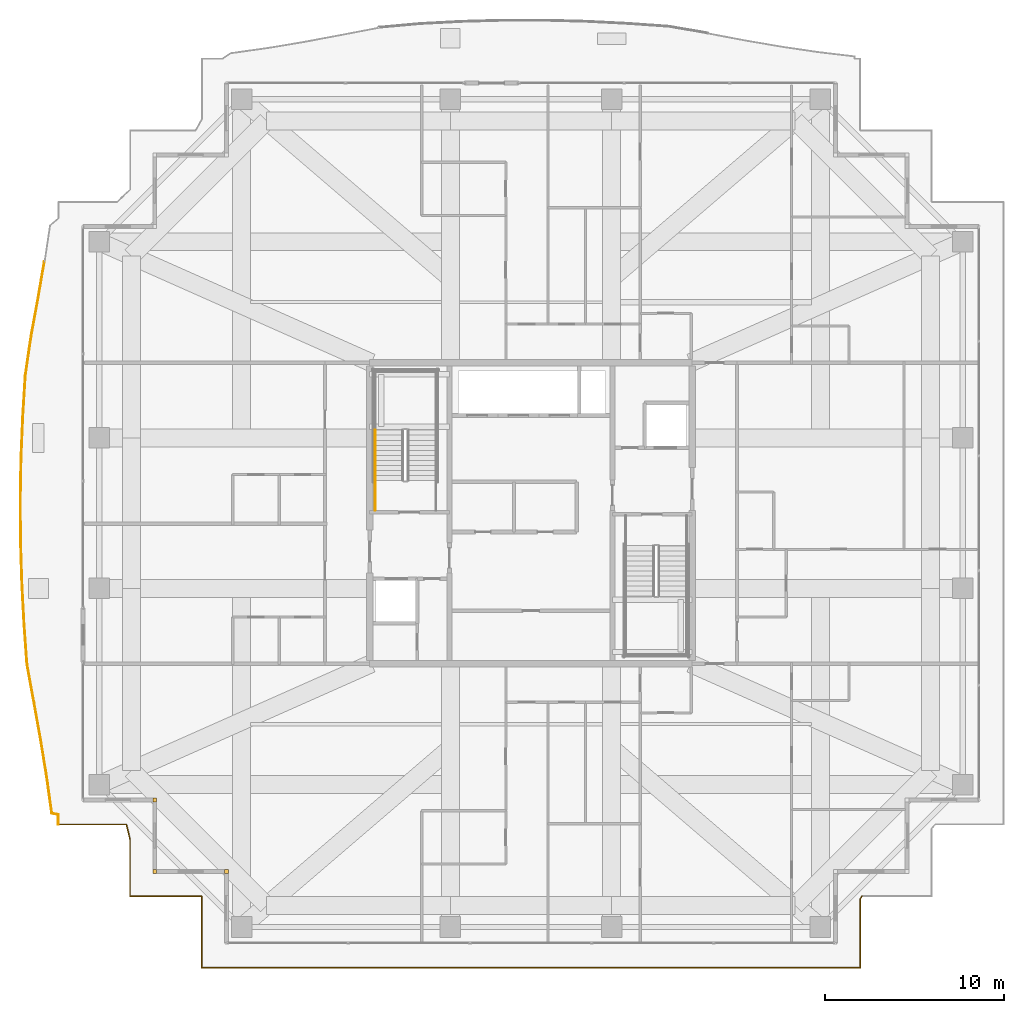
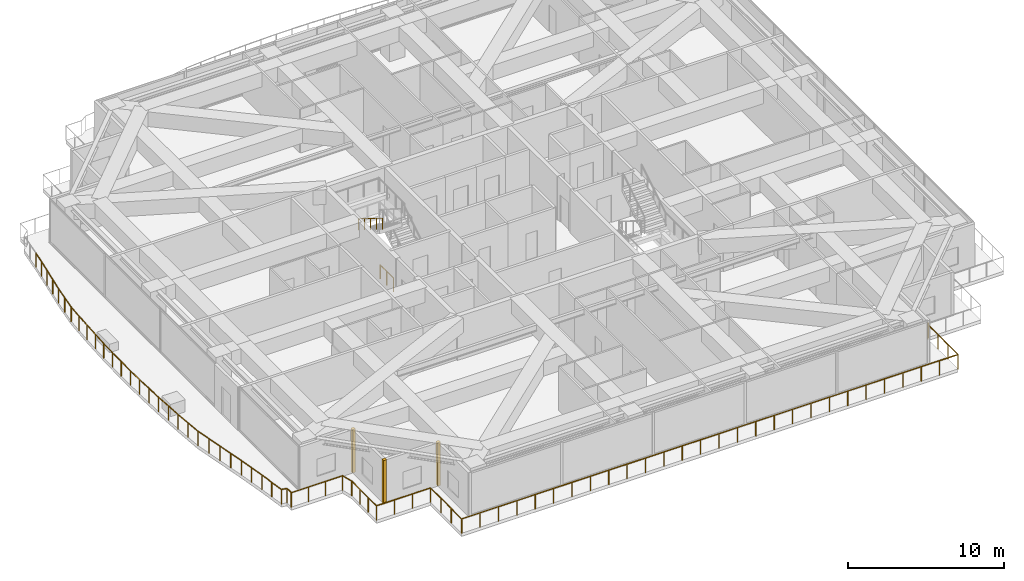
# One storey, part 35 of 39: 5 railings, 3 coverings.
"""IFC4 building model written with IfcOpenShell, lengths in metres."""

from ifc_helpers import new_model, si_unit, direction, frame, origin, origin_2d, place, context, subcontext, project, spatial, rectangle, circle, extrude, source, transform, mapped, material, layer, layer_set, type_object, element, save


model = new_model("IFC4")

# Units and contexts
model_context = context("Model", 3, precision=1e-05, world=origin(), true_north=direction((0.0, 1.0)))
body_context = subcontext(model_context, "Body", "Model", "MODEL_VIEW")
ifc_project = project(units=[si_unit("LENGTHUNIT", "METRE"), si_unit("AREAUNIT", "SQUARE_METRE"), si_unit("VOLUMEUNIT", "CUBIC_METRE"), si_unit("PLANEANGLEUNIT", "RADIAN"), si_unit("MASSUNIT", "GRAM", prefix="KILO")], contexts=[model_context])

# Site, building, storey
site_placement = place(None, origin())
site = spatial("IfcSite", under=ifc_project, at=site_placement, CompositionType="ELEMENT")
building_placement = place(site_placement, origin())
building = spatial("IfcBuilding", under=site, at=building_placement, Name="Serunith Strait Residences", CompositionType="ELEMENT")
storey_placement = place(building_placement, frame((0.0, 0.0, 283.60009765625)))
storey = spatial("IfcBuildingStorey", under=building, at=storey_placement, Name="L71", CompositionType="ELEMENT", Elevation=283.60009765625)

# Railings
ifc_material_1 = material(Name="Stainless Steel & Laminated Glass Balustrade", Category="steel")
railing_type_1 = type_object("IfcRailingType", Name="RLG-BALC-1150", PredefinedType="BALUSTRADE", material=ifc_material_1)
railing_1_placement = place(storey_placement, frame((6.02001953125, 7.820068359375, -0.050048828125)))
element("IfcRailing", 1, at=railing_1_placement, inside=storey, type_object=railing_type_1, Name="L71 Swirling Balcony Perimeter Balustrade 1", PredefinedType="BALUSTRADE", context=body_context, shape_type="SweptSolid", body=[
    extrude(circle(Radius=0.02392578125, at=origin_2d()), frame((0.0, 0.001953125, 1.1259765625), z_axis=(0.0, 1.0, 0.0), x_axis=(-1.0, 0.0, 0.0)), (0.0, 0.0, 1.0), 0.55517578125),
    extrude(circle(Radius=0.02392578125, at=origin_2d()), frame((-0.001953125, 0.559326171875, 1.1259765625), z_axis=(-0.985979209401, 0.166868207367, 0.0), x_axis=(-0.166868207367, -0.985979209401, 0.0)), (0.0, 0.0, 1.0), 0.36474609375),
    extrude(circle(Radius=0.02392578125, at=origin_2d()), frame((-0.36376953125, 0.62255859375, 1.1259765625), z_axis=(-0.137435301298, 0.990510746008, 0.0), x_axis=(-0.990510746008, -0.137435301298, 0.0)), (0.0, 0.0, 1.0), 2.0458984375),
    extrude(circle(Radius=0.02392578125, at=origin_2d()), frame((-0.6455078125, 2.653076171875, 1.1259765625), z_axis=(-0.160609105594, 0.987018092641, 0.0), x_axis=(-0.987018092641, -0.160609105594, 0.0)), (0.0, 0.0, 1.0), 2.075439453125),
    extrude(circle(Radius=0.02392578125, at=origin_2d()), frame((-0.9794921875, 4.70556640625, 1.1259765625), z_axis=(-0.176761129537, 0.984253779817, 0.0), x_axis=(-0.984253779817, -0.176761129537, 0.0)), (0.0, 0.0, 1.0), 2.120361328125),
    extrude(circle(Radius=0.02392578125, at=origin_2d()), frame((-1.35498046875, 6.79638671875, 1.1259765625), z_axis=(-0.17995814636, 0.983674268017, 0.0), x_axis=(-0.983674268017, -0.17995814636, 0.0)), (0.0, 0.0, 1.0), 2.178955078125),
    extrude(circle(Radius=0.02392578125, at=origin_2d()), frame((-1.747802734375, 8.943603515625, 1.1259765625), z_axis=(-0.072142309591, 0.997394348875, 0.0), x_axis=(-0.997394348875, -0.072142309591, 0.0)), (0.0, 0.0, 1.0), 2.263427734375),
    extrude(circle(Radius=0.02392578125, at=origin_2d()), frame((-1.9111328125, 11.205078125, 1.1259765625), z_axis=(-0.052185076461, 0.9986374306, 0.0), x_axis=(-0.9986374306, -0.052185076461, 0.0)), (0.0, 0.0, 1.0), 2.29296875),
    extrude(circle(Radius=0.02099609375, at=origin_2d()), origin(), (0.0, 0.0, 1.0), 1.099853515625),
    extrude(circle(Radius=0.02099609375, at=origin_2d()), frame((0.0, 0.55908203125, 0.0)), (0.0, 0.0, 1.0), 1.099853515625),
    extrude(circle(Radius=0.02099609375, at=origin_2d()), frame((-0.363525390625, 0.62060546875, 0.0)), (0.0, 0.0, 1.0), 1.099853515625),
    extrude(circle(Radius=0.02099609375, at=origin_2d()), frame((-0.50439453125, 1.6357421875, 0.0)), (0.0, 0.0, 1.0), 1.099853515625),
    extrude(circle(Radius=0.02099609375, at=origin_2d()), frame((-0.645263671875, 2.651123046875, 0.0)), (0.0, 0.0, 1.0), 1.099853515625),
    extrude(circle(Radius=0.02099609375, at=origin_2d()), frame((-0.812255859375, 3.67724609375, 0.0)), (0.0, 0.0, 1.0), 1.099853515625),
    extrude(circle(Radius=0.02099609375, at=origin_2d()), frame((-0.979248046875, 4.70361328125, 0.0)), (0.0, 0.0, 1.0), 1.099853515625),
    extrude(circle(Radius=0.02099609375, at=origin_2d()), frame((-1.1669921875, 5.7490234375, 0.0)), (0.0, 0.0, 1.0), 1.099853515625),
    extrude(circle(Radius=0.02099609375, at=origin_2d()), frame((-1.354736328125, 6.79443359375, 0.0)), (0.0, 0.0, 1.0), 1.099853515625),
    extrude(circle(Radius=0.02099609375, at=origin_2d()), frame((-1.55126953125, 7.8681640625, 0.0)), (0.0, 0.0, 1.0), 1.099853515625),
    extrude(circle(Radius=0.02099609375, at=origin_2d()), frame((-1.74755859375, 8.941650390625, 0.0)), (0.0, 0.0, 1.0), 1.099853515625),
    extrude(circle(Radius=0.02099609375, at=origin_2d()), frame((-1.829345703125, 10.072265625, 0.0)), (0.0, 0.0, 1.0), 1.099853515625),
    extrude(circle(Radius=0.02099609375, at=origin_2d()), frame((-1.9111328125, 11.203125, 0.0)), (0.0, 0.0, 1.0), 1.099853515625),
    extrude(circle(Radius=0.02099609375, at=origin_2d()), frame((-1.97119140625, 12.35009765625, 0.0)), (0.0, 0.0, 1.0), 1.099853515625),
    extrude(circle(Radius=0.02099609375, at=origin_2d()), frame((-2.031005859375, 13.4970703125, 0.0)), (0.0, 0.0, 1.0), 1.099853515625),
])
railing_2_placement = place(storey_placement, frame((3.989013671875, 21.317138671875, -0.050048828125)))
element("IfcRailing", 2, at=railing_2_placement, inside=storey, type_object=railing_type_1, Name="L71 Swirling Balcony Perimeter Balustrade 2", PredefinedType="BALUSTRADE", context=body_context, shape_type="SweptSolid", body=[
    extrude(circle(Radius=0.02392578125, at=origin_2d()), frame((0.0, 0.001953125, 1.1259765625), z_axis=(-0.030866398727, 0.999523519198, 0.0), x_axis=(-0.999523519198, -0.030866398727, 0.0)), (0.0, 0.0, 1.0), 2.3134765625),
    extrude(circle(Radius=0.02392578125, at=origin_2d()), frame((-0.071533203125, 2.318359375, 1.1259765625), z_axis=(-0.00682112371, 0.999976735865, 0.0), x_axis=(-0.999976735865, -0.00682112371, 0.0)), (0.0, 0.0, 1.0), 2.322509765625),
    extrude(circle(Radius=0.02392578125, at=origin_2d()), frame((-0.08740234375, 4.644775390625, 1.1259765625), z_axis=(0.017653580604, 0.999844163403, 0.0), x_axis=(-0.999844163403, 0.017653580604, 0.0)), (0.0, 0.0, 1.0), 2.3193359375),
    extrude(circle(Radius=0.02392578125, at=origin_2d()), frame((-0.04638671875, 6.9677734375, 1.1259765625), z_axis=(0.041150925823, 0.999152941898, 0.0), x_axis=(-0.999152941898, 0.041150925823, 0.0)), (0.0, 0.0, 1.0), 2.303955078125),
    extrude(circle(Radius=0.02392578125, at=origin_2d()), frame((0.048828125, 9.273681640625, 1.1259765625), z_axis=(0.061505879825, 0.998106721121, 0.0), x_axis=(-0.998106721121, 0.061505879825, 0.0)), (0.0, 0.0, 1.0), 2.2783203125),
    extrude(circle(Radius=0.02392578125, at=origin_2d()), frame((0.189208984375, 11.5517578125, 1.1259765625), z_axis=(0.143827990532, 0.989602702674, 0.0), x_axis=(-0.989602702674, 0.143827990532, 0.0)), (0.0, 0.0, 1.0), 2.211181640625),
    extrude(circle(Radius=0.02392578125, at=origin_2d()), frame((0.5078125, 13.743896484375, 1.1259765625), z_axis=(0.180577389698, 0.983560779174, 0.0), x_axis=(-0.983560779174, 0.180577389698, 0.0)), (0.0, 0.0, 1.0), 2.1416015625),
    extrude(circle(Radius=0.02392578125, at=origin_2d()), frame((0.895263671875, 15.854248046875, 1.1259765625), z_axis=(0.169161197625, 0.985588397465, 0.0), x_axis=(-0.985588397465, 0.169161197625, 0.0)), (0.0, 0.0, 1.0), 2.090087890625),
    extrude(circle(Radius=0.02099609375, at=origin_2d()), origin(), (0.0, 0.0, 1.0), 1.099853515625),
    extrude(circle(Radius=0.02099609375, at=origin_2d()), frame((-0.03564453125, 1.158203125, 0.0)), (0.0, 0.0, 1.0), 1.099853515625),
    extrude(circle(Radius=0.02099609375, at=origin_2d()), frame((-0.071533203125, 2.31640625, 0.0)), (0.0, 0.0, 1.0), 1.099853515625),
    extrude(circle(Radius=0.02099609375, at=origin_2d()), frame((-0.07958984375, 3.4794921875, 0.0)), (0.0, 0.0, 1.0), 1.099853515625),
    extrude(circle(Radius=0.02099609375, at=origin_2d()), frame((-0.08740234375, 4.642822265625, 0.0)), (0.0, 0.0, 1.0), 1.099853515625),
    extrude(circle(Radius=0.02099609375, at=origin_2d()), frame((-0.06689453125, 5.80419921875, 0.0)), (0.0, 0.0, 1.0), 1.099853515625),
    extrude(circle(Radius=0.02099609375, at=origin_2d()), frame((-0.04638671875, 6.9658203125, 0.0)), (0.0, 0.0, 1.0), 1.099853515625),
    extrude(circle(Radius=0.02099609375, at=origin_2d()), frame((0.0009765625, 8.11865234375, 0.0)), (0.0, 0.0, 1.0), 1.099853515625),
    extrude(circle(Radius=0.02099609375, at=origin_2d()), frame((0.048583984375, 9.271728515625, 0.0)), (0.0, 0.0, 1.0), 1.099853515625),
    extrude(circle(Radius=0.02099609375, at=origin_2d()), frame((0.11865234375, 10.41064453125, 0.0)), (0.0, 0.0, 1.0), 1.099853515625),
    extrude(circle(Radius=0.02099609375, at=origin_2d()), frame((0.18896484375, 11.5498046875, 0.0)), (0.0, 0.0, 1.0), 1.099853515625),
    extrude(circle(Radius=0.02099609375, at=origin_2d()), frame((0.34814453125, 12.64599609375, 0.0)), (0.0, 0.0, 1.0), 1.099853515625),
    extrude(circle(Radius=0.02099609375, at=origin_2d()), frame((0.507568359375, 13.741943359375, 0.0)), (0.0, 0.0, 1.0), 1.099853515625),
    extrude(circle(Radius=0.02099609375, at=origin_2d()), frame((0.701171875, 14.797119140625, 0.0)), (0.0, 0.0, 1.0), 1.099853515625),
    extrude(circle(Radius=0.02099609375, at=origin_2d()), frame((0.89501953125, 15.852294921875, 0.0)), (0.0, 0.0, 1.0), 1.099853515625),
    extrude(circle(Radius=0.02099609375, at=origin_2d()), frame((1.072265625, 16.88427734375, 0.0)), (0.0, 0.0, 1.0), 1.099853515625),
    extrude(circle(Radius=0.02099609375, at=origin_2d()), frame((1.249267578125, 17.916259765625, 0.0)), (0.0, 0.0, 1.0), 1.099853515625),
])
railing_3_placement = place(storey_placement, frame((50.881103515625, 3.820068359375, -0.050048828125)))
element("IfcRailing", 3, at=railing_3_placement, inside=storey, type_object=railing_type_1, Name="L71 Swirling Balcony Perimeter Balustrade 8", PredefinedType="BALUSTRADE", context=body_context, shape_type="SweptSolid", body=[
    extrude(circle(Radius=0.02392578125, at=origin_2d()), frame((-0.0009765625, -0.001708984375, 1.1259765625), z_axis=(-0.546751112301, -0.83729518164, 0.0), x_axis=(0.83729518164, -0.546751112301, 0.0)), (0.0, 0.0, 1.0), 0.180908203125),
    extrude(circle(Radius=0.02392578125, at=origin_2d()), frame((-0.10107421875, -0.15673828125, 1.1259765625), z_axis=(0.0, -1.0, 0.0), x_axis=(1.0, 0.0, 0.0)), (0.0, 0.0, 1.0), 3.84130859375),
    extrude(circle(Radius=0.02392578125, at=origin_2d()), frame((-0.10302734375, -4.0, 1.1259765625), z_axis=(-1.0, 0.0, 0.0), x_axis=(0.0, -1.0, 0.0)), (0.0, 0.0, 1.0), 36.756103515625),
    extrude(circle(Radius=0.02392578125, at=origin_2d()), frame((-36.861083984375, -3.998046875, 1.1259765625), z_axis=(0.0, 1.0, 0.0), x_axis=(-1.0, 0.0, 0.0)), (0.0, 0.0, 1.0), 3.99609375),
    extrude(circle(Radius=0.02392578125, at=origin_2d()), frame((-36.863037109375, 0.0, 1.1259765625), z_axis=(-1.0, 0.0, 0.0), x_axis=(0.0, -1.0, 0.0)), (0.0, 0.0, 1.0), 3.99609375),
    extrude(circle(Radius=0.02392578125, at=origin_2d()), frame((-40.861083984375, 0.001953125, 1.1259765625), z_axis=(0.0, 1.0, 0.0), x_axis=(-1.0, 0.0, 0.0)), (0.0, 0.0, 1.0), 3.163818359375),
    extrude(circle(Radius=0.02392578125, at=origin_2d()), frame((-40.861572265625, 3.169677734375, 1.1259765625), z_axis=(-0.236293392422, 0.971681754845, 0.0), x_axis=(-0.971681754845, -0.236293392422, 0.0)), (0.0, 0.0, 1.0), 0.8525390625),
    extrude(circle(Radius=0.02392578125, at=origin_2d()), frame((-41.0654296875, 4.0, 1.1259765625), z_axis=(-1.0, 0.0, 0.0), x_axis=(0.0, -1.0, 0.0)), (0.0, 0.0, 1.0), 3.793701171875),
    extrude(circle(Radius=0.02099609375, at=origin_2d()), origin(), (0.0, 0.0, 1.0), 1.099853515625),
    extrude(circle(Radius=0.02099609375, at=origin_2d()), frame((-0.10107421875, -0.15478515625, 0.0)), (0.0, 0.0, 1.0), 1.099853515625),
    extrude(circle(Radius=0.02099609375, at=origin_2d()), frame((-0.10107421875, -1.4365234375, 0.0)), (0.0, 0.0, 1.0), 1.099853515625),
    extrude(circle(Radius=0.02099609375, at=origin_2d()), frame((-0.10107421875, -2.71826171875, 0.0)), (0.0, 0.0, 1.0), 1.099853515625),
    extrude(circle(Radius=0.02099609375, at=origin_2d()), frame((-0.10107421875, -4.0, 0.0)), (0.0, 0.0, 1.0), 1.099853515625),
    extrude(circle(Radius=0.02099609375, at=origin_2d()), frame((-1.462646484375, -4.0, 0.0)), (0.0, 0.0, 1.0), 1.099853515625),
    extrude(circle(Radius=0.02099609375, at=origin_2d()), frame((-2.823974609375, -4.0, 0.0)), (0.0, 0.0, 1.0), 1.099853515625),
    extrude(circle(Radius=0.02099609375, at=origin_2d()), frame((-4.185546875, -4.0, 0.0)), (0.0, 0.0, 1.0), 1.099853515625),
    extrude(circle(Radius=0.02099609375, at=origin_2d()), frame((-5.547119140625, -4.0, 0.0)), (0.0, 0.0, 1.0), 1.099853515625),
    extrude(circle(Radius=0.02099609375, at=origin_2d()), frame((-6.908447265625, -4.0, 0.0)), (0.0, 0.0, 1.0), 1.099853515625),
    extrude(circle(Radius=0.02099609375, at=origin_2d()), frame((-8.27001953125, -4.0, 0.0)), (0.0, 0.0, 1.0), 1.099853515625),
    extrude(circle(Radius=0.02099609375, at=origin_2d()), frame((-9.63134765625, -4.0, 0.0)), (0.0, 0.0, 1.0), 1.099853515625),
    extrude(circle(Radius=0.02099609375, at=origin_2d()), frame((-10.992919921875, -4.0, 0.0)), (0.0, 0.0, 1.0), 1.099853515625),
    extrude(circle(Radius=0.02099609375, at=origin_2d()), frame((-12.3544921875, -4.0, 0.0)), (0.0, 0.0, 1.0), 1.099853515625),
    extrude(circle(Radius=0.02099609375, at=origin_2d()), frame((-13.7158203125, -4.0, 0.0)), (0.0, 0.0, 1.0), 1.099853515625),
    extrude(circle(Radius=0.02099609375, at=origin_2d()), frame((-15.077392578125, -4.0, 0.0)), (0.0, 0.0, 1.0), 1.099853515625),
    extrude(circle(Radius=0.02099609375, at=origin_2d()), frame((-16.43896484375, -4.0, 0.0)), (0.0, 0.0, 1.0), 1.099853515625),
    extrude(circle(Radius=0.02099609375, at=origin_2d()), frame((-17.80029296875, -4.0, 0.0)), (0.0, 0.0, 1.0), 1.099853515625),
    extrude(circle(Radius=0.02099609375, at=origin_2d()), frame((-19.161865234375, -4.0, 0.0)), (0.0, 0.0, 1.0), 1.099853515625),
    extrude(circle(Radius=0.02099609375, at=origin_2d()), frame((-20.523193359375, -4.0, 0.0)), (0.0, 0.0, 1.0), 1.099853515625),
    extrude(circle(Radius=0.02099609375, at=origin_2d()), frame((-21.884765625, -4.0, 0.0)), (0.0, 0.0, 1.0), 1.099853515625),
    extrude(circle(Radius=0.02099609375, at=origin_2d()), frame((-23.246337890625, -4.0, 0.0)), (0.0, 0.0, 1.0), 1.099853515625),
    extrude(circle(Radius=0.02099609375, at=origin_2d()), frame((-24.607666015625, -4.0, 0.0)), (0.0, 0.0, 1.0), 1.099853515625),
    extrude(circle(Radius=0.02099609375, at=origin_2d()), frame((-25.96923828125, -4.0, 0.0)), (0.0, 0.0, 1.0), 1.099853515625),
    extrude(circle(Radius=0.02099609375, at=origin_2d()), frame((-27.330810546875, -4.0, 0.0)), (0.0, 0.0, 1.0), 1.099853515625),
    extrude(circle(Radius=0.02099609375, at=origin_2d()), frame((-28.692138671875, -4.0, 0.0)), (0.0, 0.0, 1.0), 1.099853515625),
    extrude(circle(Radius=0.02099609375, at=origin_2d()), frame((-30.0537109375, -4.0, 0.0)), (0.0, 0.0, 1.0), 1.099853515625),
    extrude(circle(Radius=0.02099609375, at=origin_2d()), frame((-31.4150390625, -4.0, 0.0)), (0.0, 0.0, 1.0), 1.099853515625),
    extrude(circle(Radius=0.02099609375, at=origin_2d()), frame((-32.776611328125, -4.0, 0.0)), (0.0, 0.0, 1.0), 1.099853515625),
    extrude(circle(Radius=0.02099609375, at=origin_2d()), frame((-34.13818359375, -4.0, 0.0)), (0.0, 0.0, 1.0), 1.099853515625),
    extrude(circle(Radius=0.02099609375, at=origin_2d()), frame((-35.49951171875, -4.0, 0.0)), (0.0, 0.0, 1.0), 1.099853515625),
    extrude(circle(Radius=0.02099609375, at=origin_2d()), frame((-36.861083984375, -4.0, 0.0)), (0.0, 0.0, 1.0), 1.099853515625),
    extrude(circle(Radius=0.02099609375, at=origin_2d()), frame((-36.861083984375, -2.666748046875, 0.0)), (0.0, 0.0, 1.0), 1.099853515625),
    extrude(circle(Radius=0.02099609375, at=origin_2d()), frame((-36.861083984375, -1.333251953125, 0.0)), (0.0, 0.0, 1.0), 1.099853515625),
    extrude(circle(Radius=0.02099609375, at=origin_2d()), frame((-36.861083984375, 0.0, 0.0)), (0.0, 0.0, 1.0), 1.099853515625),
    extrude(circle(Radius=0.02099609375, at=origin_2d()), frame((-38.1943359375, 0.0, 0.0)), (0.0, 0.0, 1.0), 1.099853515625),
    extrude(circle(Radius=0.02099609375, at=origin_2d()), frame((-39.52783203125, 0.0, 0.0)), (0.0, 0.0, 1.0), 1.099853515625),
    extrude(circle(Radius=0.02099609375, at=origin_2d()), frame((-40.861083984375, 0.0, 0.0)), (0.0, 0.0, 1.0), 1.099853515625),
    extrude(circle(Radius=0.02099609375, at=origin_2d()), frame((-40.861083984375, 1.055908203125, 0.0)), (0.0, 0.0, 1.0), 1.099853515625),
    extrude(circle(Radius=0.02099609375, at=origin_2d()), frame((-40.861083984375, 2.11181640625, 0.0)), (0.0, 0.0, 1.0), 1.099853515625),
    extrude(circle(Radius=0.02099609375, at=origin_2d()), frame((-40.861083984375, 3.167724609375, 0.0)), (0.0, 0.0, 1.0), 1.099853515625),
    extrude(circle(Radius=0.02099609375, at=origin_2d()), frame((-41.0634765625, 4.0, 0.0)), (0.0, 0.0, 1.0), 1.099853515625),
    extrude(circle(Radius=0.02099609375, at=origin_2d()), frame((-42.329345703125, 4.0, 0.0)), (0.0, 0.0, 1.0), 1.099853515625),
    extrude(circle(Radius=0.02099609375, at=origin_2d()), frame((-43.59521484375, 4.0, 0.0)), (0.0, 0.0, 1.0), 1.099853515625),
    extrude(circle(Radius=0.02099609375, at=origin_2d()), frame((-44.861083984375, 4.0, 0.0)), (0.0, 0.0, 1.0), 1.099853515625),
])
ifc_material_2 = material(Name="Brushed stainless steel 316L", Category="steel")
railing_type_2 = type_object("IfcRailingType", Name="RLG-STAIR-GUARD", PredefinedType="BALUSTRADE", material=ifc_material_2)
railing_4_placement = place(storey_placement, frame((23.699951171875, 25.35009765625, 0.0)))
element("IfcRailing", 4, at=railing_4_placement, inside=storey, type_object=railing_type_2, Name="L71 ST-1 stair guard 9", PredefinedType="BALUSTRADE", context=body_context, shape_type="SweptSolid", body=[
    extrude(circle(Radius=0.02392578125, at=origin_2d()), frame((0.0, 0.001953125, 1.076171875), z_axis=(0.0, 1.0, 0.0), x_axis=(-1.0, 0.0, 0.0)), (0.0, 0.0, 1.0), 1.676025390625),
    extrude(circle(Radius=0.02099609375, at=origin_2d()), origin(), (0.0, 0.0, 1.0), 1.050048828125),
    extrude(circle(Radius=0.02099609375, at=origin_2d()), frame((0.0, 0.83984375, 0.0)), (0.0, 0.0, 1.0), 1.050048828125),
    extrude(circle(Radius=0.02099609375, at=origin_2d()), frame((0.0, 1.679931640625, 0.0)), (0.0, 0.0, 1.0), 1.050048828125),
])
railing_type_3 = type_object("IfcRailingType", Name="RLG-STAIR-HR", PredefinedType="HANDRAIL", material=ifc_material_2)
railing_5_placement = place(storey_placement, frame((23.699951171875, 29.830078125, 2.099853515625)))
element("IfcRailing", 5, at=railing_5_placement, inside=storey, type_object=railing_type_3, Name="L71 ST-1 stair handrail 2", PredefinedType="HANDRAIL", context=body_context, shape_type="SweptSolid", body=[
    extrude(circle(Radius=0.02392578125, at=origin_2d()), frame((0.0, -0.001708984375, 0.876953125), z_axis=(0.0, -0.847393994688, 0.530964610654), x_axis=(1.0, 0.0, 0.0)), (0.0, 0.0, 1.0), 3.630859375),
    extrude(circle(Radius=0.02099609375, at=origin_2d()), origin(), (0.0, 0.0, 1.0), 0.849853515625),
    extrude(circle(Radius=0.02099609375, at=origin_2d()), frame((0.0, -0.77001953125, 0.482421875)), (0.0, 0.0, 1.0), 0.849853515625),
    extrude(circle(Radius=0.02099609375, at=origin_2d()), frame((0.0, -1.5400390625, 0.96484375)), (0.0, 0.0, 1.0), 0.849853515625),
    extrude(circle(Radius=0.02099609375, at=origin_2d()), frame((0.0, -2.31005859375, 1.447509765625)), (0.0, 0.0, 1.0), 0.849853515625),
    extrude(circle(Radius=0.02099609375, at=origin_2d()), frame((0.0, -3.080078125, 1.929931640625)), (0.0, 0.0, 1.0), 0.849853515625),
])

# Coverings
ifc_material_3 = material(Name="Pale-Champagne Anodised Aluminium", Category="aluminium")
ifc_layer = layer(ifc_material_3, 0.219970703125, Name="Pale-Champagne Anodised Aluminium")
ifc_layer_set = layer_set([ifc_layer], Name="Pale-Champagne Anodised Aluminium")
covering_type = type_object("IfcCoveringType", Name="COV-CORN-TRIM", PredefinedType="CLADDING", material=ifc_layer_set)
shared_shape = source(origin(), body_context, "Body", "SweptSolid", [
    extrude(rectangle(XDim=0.221923828125, YDim=0.221923828125, at=origin_2d()), origin(), (0.0, 0.0, 1.0), 3.39501953125),
])
for number, where, z_axis, x_axis, name in (
    (6, (11.39990234375, 9.199951171875, 0.0), (0.0, 0.0, 1.0), (1.0, 0.0, 0.0), "L71 Girih Serrated Corner Trim Post 17"),
    (7, (11.39990234375, 5.199951171875, 0.0), (0.0, 0.0, 1.0), (1.0, 0.0, 0.0), "L71 Girih Serrated Corner Trim Post 18"),
    (8, (15.39990234375, 5.199951171875, 0.0), (0.0, 0.0, 1.0), (1.0, 0.0, 0.0), "L71 Girih Serrated Corner Trim Post 19"),
):
    element("IfcCovering", number, at=place(storey_placement, frame(where, z_axis=z_axis, x_axis=x_axis)), inside=storey, type_object=covering_type, Name=name, PredefinedType="CLADDING", context=body_context, shape_type="MappedRepresentation", body=[
        mapped(shared_shape, transform((0.0, 0.0, 0.0), scale=1.0)),
    ])

save(model, "model.ifc")
